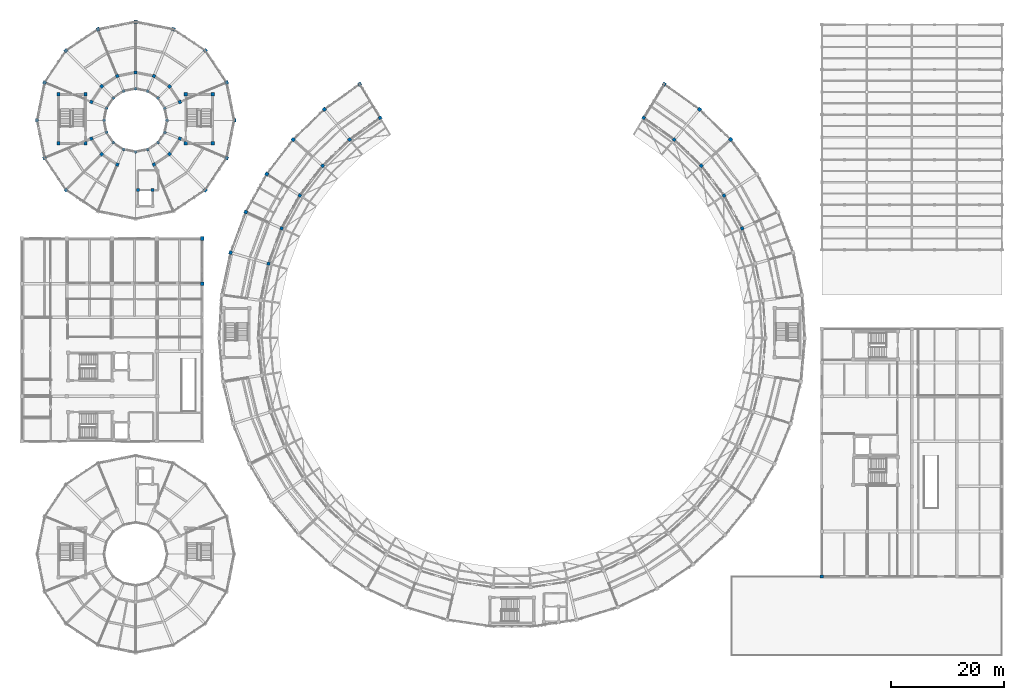
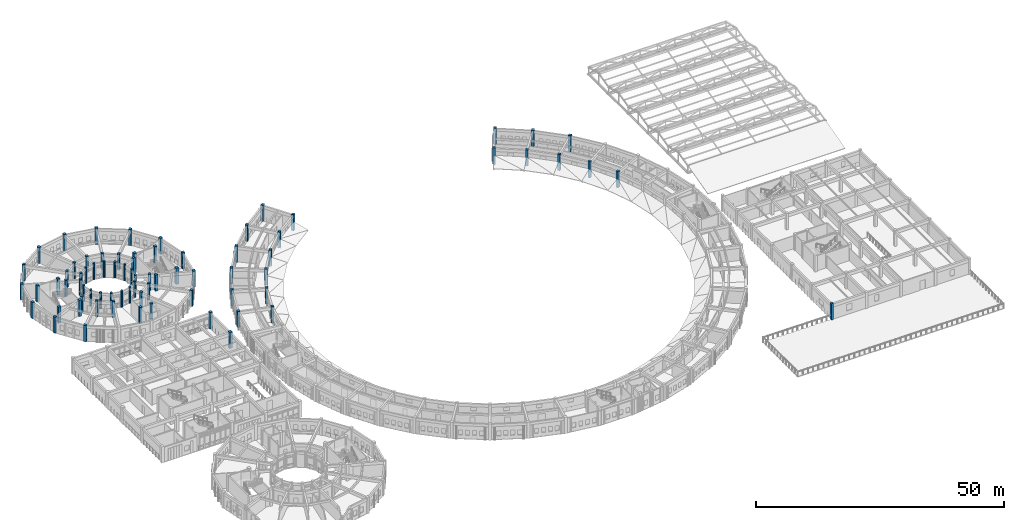
# One storey, part 6 of 112: 75 columns.
"""IFC4 building model written with IfcOpenShell, lengths in metres."""

from ifc_helpers import new_model, si_unit, direction, frame, origin, origin_2d, place, context, subcontext, project, spatial, rectangle, circle, extrude, material, material_profile, profile_set, type_object, element, save


model = new_model("IFC4")

# Units and contexts
model_context = context("Model", 3, precision=1e-05, world=origin(), true_north=direction((0.0, 1.0)))
body_context = subcontext(model_context, "Body", "Model", "MODEL_VIEW")
ifc_project = project(units=[si_unit("LENGTHUNIT", "METRE"), si_unit("AREAUNIT", "SQUARE_METRE"), si_unit("VOLUMEUNIT", "CUBIC_METRE"), si_unit("PLANEANGLEUNIT", "RADIAN"), si_unit("MASSUNIT", "GRAM", prefix="KILO")], contexts=[model_context])

# Site, building, storey
site_placement = place(None, origin())
site = spatial("IfcSite", under=ifc_project, at=site_placement, CompositionType="ELEMENT")
building_placement = place(site_placement, origin())
building = spatial("IfcBuilding", under=site, at=building_placement, Name="Celadon Cloister-Ring School", CompositionType="ELEMENT")
storey_placement = place(building_placement, frame((0.0, 0.0, 8.5)))
storey = spatial("IfcBuildingStorey", under=building, at=storey_placement, Name="L02", CompositionType="ELEMENT", Elevation=8.5)

# Columns
ifc_material_1 = material(Name="Concrete C40/50", Category="concrete")
ifc_material_profile_1 = material_profile(ifc_material_1, rectangle(XDim=0.60009765625, YDim=0.60009765625, at=origin_2d()), Name="RC600X600")
ifc_profile_set_1 = profile_set([ifc_material_profile_1], Name="Concrete C40/50")
column_type_1 = type_object("IfcColumnType", Name="CT-04", PredefinedType="COLUMN", material=ifc_profile_set_1)
for number, where, z_axis, x_axis, name in (
    (1, (6.5, 92.89990234375, 0.0), (0.0, 0.0, 1.0), (1.0, 0.0, 0.0), "Column 0065"),
    (2, (11.300048828125, 92.89990234375, 0.0), (0.0, 0.0, 1.0), (1.0, 0.0, 0.0), "Column 0069"),
    (3, (11.300048828125, 101.6201171875, 0.0), (0.0, 0.0, 1.0), (1.0, 0.0, 0.0), "Column 0073"),
    (4, (6.5, 101.6201171875, 0.0), (0.0, 0.0, 1.0), (1.0, 0.0, 0.0), "Column 0077"),
    (5, (29.10009765625, 92.89990234375, 0.0), (0.0, 0.0, 1.0), (1.0, 0.0, 0.0), "Column 0081"),
    (6, (33.89990234375, 92.89990234375, 0.0), (0.0, 0.0, 1.0), (1.0, 0.0, 0.0), "Column 0085"),
    (7, (33.89990234375, 101.6201171875, 0.0), (0.0, 0.0, 1.0), (1.0, 0.0, 0.0), "Column 0089"),
    (8, (29.10009765625, 101.6201171875, 0.0), (0.0, 0.0, 1.0), (1.0, 0.0, 0.0), "Column 0093"),
):
    element("IfcColumn", number, at=place(storey_placement, frame(where, z_axis=z_axis, x_axis=x_axis)), inside=storey, type_object=column_type_1, Name=name, PredefinedType="COLUMN", context=body_context, shape_type="SweptSolid", body=[
        extrude(rectangle(XDim=0.60009765625, YDim=0.60009765625, at=origin_2d()), origin(), (0.0, 0.0, 1.0), 4.0),
    ])
ifc_material_2 = material(Name="Concrete C40/50", Category="concrete")
ifc_material_profile_2 = material_profile(ifc_material_2, rectangle(XDim=0.550048828125, YDim=0.550048828125, at=origin_2d()), Name="RC550X550")
ifc_profile_set_2 = profile_set([ifc_material_profile_2], Name="Concrete C40/50")
column_type_2 = type_object("IfcColumnType", Name="CT-05", PredefinedType="COLUMN", material=ifc_profile_set_2)
for number, where, z_axis, x_axis, name in (
    (9, (23.199951171875, 84.60009765625, 0.0), (0.0, 0.0, 1.0), (1.0, 0.0, 0.0), "Column 0286"),
    (10, (20.60009765625, 84.60009765625, 0.0), (0.0, 0.0, 1.0), (1.0, 0.0, 0.0), "Column 0290"),
    (11, (28.052978515625, 100.2529296875, 0.0), (0.0, 0.0, 1.0), (0.923879532511, 0.382683432365, 0.0), "Column 0793"),
    (12, (26.2099609375, 103.010009765625, 0.0), (0.0, 0.0, 1.0), (0.707106781187, 0.707106781187, 0.0), "Column 0797"),
    (13, (23.452880859375, 104.85302734375, 0.0), (0.0, 0.0, 1.0), (0.382683432365, 0.923879532511, 0.0), "Column 0801"),
    (14, (20.199951171875, 105.5, 0.0), (0.0, 0.0, 1.0), (0.0, 1.0, 0.0), "Column 0805"),
    (15, (16.947021484375, 104.85302734375, 0.0), (0.0, 0.0, 1.0), (-0.382683432365, 0.923879532511, 0.0), "Column 0809"),
    (16, (14.18994140625, 103.010009765625, 0.0), (0.0, 0.0, 1.0), (-0.707106781187, 0.707106781187, 0.0), "Column 0813"),
    (17, (12.346923828125, 100.2529296875, 0.0), (0.0, 0.0, 1.0), (-0.923879532511, 0.382683432365, 0.0), "Column 0817"),
    (18, (12.346923828125, 93.7470703125, 0.0), (0.0, 0.0, 1.0), (-0.923879532511, -0.382683432365, 0.0), "Column 0821"),
    (19, (14.18994140625, 90.989990234375, 0.0), (0.0, 0.0, 1.0), (-0.707106781187, -0.707106781187, 0.0), "Column 0825"),
    (20, (16.947021484375, 89.14697265625, 0.0), (0.0, 0.0, 1.0), (-0.382683432365, -0.923879532511, 0.0), "Column 0829"),
    (21, (23.452880859375, 89.14697265625, 0.0), (0.0, 0.0, 1.0), (0.382683432365, -0.923879532511, 0.0), "Column 0833"),
    (22, (26.2099609375, 90.989990234375, 0.0), (0.0, 0.0, 1.0), (0.707106781187, -0.707106781187, 0.0), "Column 0837"),
    (23, (28.052978515625, 93.7470703125, 0.0), (0.0, 0.0, 1.0), (0.923879532511, -0.382683432365, 0.0), "Column 0841"),
    (24, (142.0, 16.0, 0.0), (0.0, 0.0, 1.0), (1.0, 0.0, 0.0), "Column 0924"),
):
    element("IfcColumn", number, at=place(storey_placement, frame(where, z_axis=z_axis, x_axis=x_axis)), inside=storey, type_object=column_type_2, Name=name, PredefinedType="COLUMN", context=body_context, shape_type="SweptSolid", body=[
        extrude(rectangle(XDim=0.550048828125, YDim=0.550048828125, at=origin_2d()), origin(), (0.0, 0.0, 1.0), 4.0),
    ])
ifc_material_3 = material(Name="Concrete C40/50", Category="concrete")
ifc_material_profile_3 = material_profile(ifc_material_3, circle(Radius=0.27490234375, at=origin_2d()), Name="CIRC550")
ifc_profile_set_3 = profile_set([ifc_material_profile_3], Name="Concrete C40/50")
column_type_3 = type_object("IfcColumnType", Name="CT-07", PredefinedType="COLUMN", material=ifc_profile_set_3)
for number, where, z_axis, x_axis, name in (
    (25, (25.800048828125, 97.0, 0.0), (0.0, 0.0, 1.0), (1.0, 0.0, 0.0), "Column 0729"),
    (26, (25.3740234375, 99.14306640625, 0.0), (0.0, 0.0, 1.0), (1.0, 0.0, 0.0), "Column 0733"),
    (27, (24.159912109375, 100.9599609375, 0.0), (0.0, 0.0, 1.0), (1.0, 0.0, 0.0), "Column 0737"),
    (28, (22.343017578125, 102.174072265625, 0.0), (0.0, 0.0, 1.0), (1.0, 0.0, 0.0), "Column 0741"),
    (29, (20.199951171875, 102.60009765625, 0.0), (0.0, 0.0, 1.0), (1.0, 0.0, 0.0), "Column 0745"),
    (30, (18.056884765625, 102.174072265625, 0.0), (0.0, 0.0, 1.0), (1.0, 0.0, 0.0), "Column 0749"),
    (31, (16.239990234375, 100.9599609375, 0.0), (0.0, 0.0, 1.0), (1.0, 0.0, 0.0), "Column 0753"),
    (32, (15.02587890625, 99.14306640625, 0.0), (0.0, 0.0, 1.0), (1.0, 0.0, 0.0), "Column 0757"),
    (33, (14.60009765625, 97.0, 0.0), (0.0, 0.0, 1.0), (1.0, 0.0, 0.0), "Column 0761"),
    (34, (15.02587890625, 94.85693359375, 0.0), (0.0, 0.0, 1.0), (1.0, 0.0, 0.0), "Column 0765"),
    (35, (16.239990234375, 93.0400390625, 0.0), (0.0, 0.0, 1.0), (1.0, 0.0, 0.0), "Column 0769"),
    (36, (18.056884765625, 91.825927734375, 0.0), (0.0, 0.0, 1.0), (1.0, 0.0, 0.0), "Column 0773"),
    (37, (20.199951171875, 91.39990234375, 0.0), (0.0, 0.0, 1.0), (1.0, 0.0, 0.0), "Column 0777"),
    (38, (22.343017578125, 91.825927734375, 0.0), (0.0, 0.0, 1.0), (1.0, 0.0, 0.0), "Column 0781"),
    (39, (24.159912109375, 93.0400390625, 0.0), (0.0, 0.0, 1.0), (1.0, 0.0, 0.0), "Column 0785"),
    (40, (25.3740234375, 94.85693359375, 0.0), (0.0, 0.0, 1.0), (1.0, 0.0, 0.0), "Column 0789"),
):
    element("IfcColumn", number, at=place(storey_placement, frame(where, z_axis=z_axis, x_axis=x_axis)), inside=storey, type_object=column_type_3, Name=name, PredefinedType="COLUMN", context=body_context, shape_type="SweptSolid", body=[
        extrude(circle(Radius=0.27490234375, at=origin_2d()), origin(), (0.0, 0.0, 1.0), 4.0),
    ])
ifc_material_4 = material(Name="Concrete C40/50", Category="concrete")
ifc_material_profile_4 = material_profile(ifc_material_4, rectangle(XDim=0.64990234375, YDim=0.64990234375, at=origin_2d()), Name="RC650X650")
ifc_profile_set_4 = profile_set([ifc_material_profile_4], Name="Concrete C40/50")
column_type_4 = type_object("IfcColumnType", Name="CT-22", PredefinedType="COLUMN", material=ifc_profile_set_4)
for number, where, z_axis, x_axis, name in (
    (41, (32.0, 68.0, 0.0), (0.0, 0.0, 1.0), (1.0, 0.0, 0.0), "Column 1170"),
    (42, (32.0, 76.0, 0.0), (0.0, 0.0, 1.0), (1.0, 0.0, 0.0), "Column 1175"),
):
    element("IfcColumn", number, at=place(storey_placement, frame(where, z_axis=z_axis, x_axis=x_axis)), inside=storey, type_object=column_type_4, Name=name, PredefinedType="COLUMN", context=body_context, shape_type="SweptSolid", body=[
        extrude(rectangle(XDim=0.64990234375, YDim=0.64990234375, at=origin_2d()), origin(), (0.0, 0.0, 1.0), 4.0),
    ])
ifc_material_5 = material(Name="Concrete C40/50", Category="concrete")
ifc_material_profile_5 = material_profile(ifc_material_5, rectangle(XDim=0.60009765625, YDim=0.60009765625, at=origin_2d()), Name="RC600X600")
ifc_profile_set_5 = profile_set([ifc_material_profile_5], Name="Concrete C40/50")
column_type_5 = type_object("IfcColumnType", Name="CT-23", PredefinedType="COLUMN", material=ifc_profile_set_5)
for number, where, z_axis, x_axis, name in (
    (43, (59.968994140625, 103.422119140625, 0.0), (0.0, 0.0, 1.0), (-0.519817342621, 0.854277431699, 0.0), "Column 0542"),
    (44, (53.702880859375, 98.94091796875, 0.0), (0.0, 0.0, 1.0), (-0.640324219757, 0.76810474129, 0.0), "Column 0546"),
    (45, (48.16796875, 93.583984375, 0.0), (0.0, 0.0, 1.0), (-0.746777491428, 0.66507396453, 0.0), "Column 0550"),
    (46, (43.48388671875, 87.467041015625, 0.0), (0.0, 0.0, 1.0), (-0.836840759551, 0.547446383817, 0.0), "Column 0554"),
    (47, (39.756103515625, 80.72607421875, 0.0), (0.0, 0.0, 1.0), (-0.908537347938, 0.417803646947, 0.0), "Column 0558"),
    (48, (37.06494140625, 73.508056640625, 0.0), (0.0, 0.0, 1.0), (-0.960293685677, 0.278991106039, 0.0), "Column 0562"),
    (49, (125.83203125, 93.583984375, 0.0), (0.0, 0.0, 1.0), (0.746777491428, 0.66507396453, 0.0), "Column 0666"),
    (50, (120.297119140625, 98.94091796875, 0.0), (0.0, 0.0, 1.0), (0.640324219757, 0.76810474129, 0.0), "Column 0670"),
    (51, (114.031005859375, 103.422119140625, 0.0), (0.0, 0.0, 1.0), (0.519817342621, 0.854277431699, 0.0), "Column 0674"),
    (52, (37.699951171875, 97.0, 0.0), (0.0, 0.0, 1.0), (1.0, 0.0, 0.0), "Column 0845"),
    (53, (36.367919921875, 103.697021484375, 0.0), (0.0, 0.0, 1.0), (0.923879532511, 0.382683432365, 0.0), "Column 0849"),
    (54, (32.573974609375, 109.3740234375, 0.0), (0.0, 0.0, 1.0), (0.707106781187, 0.707106781187, 0.0), "Column 0853"),
    (55, (26.89697265625, 113.16796875, 0.0), (0.0, 0.0, 1.0), (0.382683432365, 0.923879532511, 0.0), "Column 0857"),
    (56, (20.199951171875, 114.5, 0.0), (0.0, 0.0, 1.0), (0.0, 1.0, 0.0), "Column 0861"),
    (57, (13.5029296875, 113.16796875, 0.0), (0.0, 0.0, 1.0), (-0.382683432365, 0.923879532511, 0.0), "Column 0865"),
    (58, (7.825927734375, 109.3740234375, 0.0), (0.0, 0.0, 1.0), (-0.707106781187, 0.707106781187, 0.0), "Column 0869"),
    (59, (4.031982421875, 103.697021484375, 0.0), (0.0, 0.0, 1.0), (-0.923879532511, 0.382683432365, 0.0), "Column 0873"),
    (60, (2.699951171875, 97.0, 0.0), (0.0, 0.0, 1.0), (-1.0, 0.0, 0.0), "Column 0877"),
    (61, (4.031982421875, 90.302978515625, 0.0), (0.0, 0.0, 1.0), (-0.923879532511, -0.382683432365, 0.0), "Column 0881"),
    (62, (7.825927734375, 84.6259765625, 0.0), (0.0, 0.0, 1.0), (-0.707106781187, -0.707106781187, 0.0), "Column 0885"),
    (63, (32.573974609375, 84.6259765625, 0.0), (0.0, 0.0, 1.0), (0.707106781187, -0.707106781187, 0.0), "Column 0901"),
    (64, (36.367919921875, 90.302978515625, 0.0), (0.0, 0.0, 1.0), (0.923879532511, -0.382683432365, 0.0), "Column 0905"),
):
    element("IfcColumn", number, at=place(storey_placement, frame(where, z_axis=z_axis, x_axis=x_axis)), inside=storey, type_object=column_type_5, Name=name, PredefinedType="COLUMN", context=body_context, shape_type="SweptSolid", body=[
        extrude(rectangle(XDim=0.60009765625, YDim=0.60009765625, at=origin_2d()), origin(), (0.0, 0.0, 1.0), 4.0),
    ])
ifc_material_6 = material(Name="Concrete C40/50", Category="concrete")
ifc_material_profile_6 = material_profile(ifc_material_6, rectangle(XDim=0.550048828125, YDim=0.550048828125, at=origin_2d()), Name="RC550X550")
ifc_profile_set_6 = profile_set([ifc_material_profile_6], Name="Concrete C40/50")
column_type_6 = type_object("IfcColumnType", Name="CT-24", PredefinedType="COLUMN", material=ifc_profile_set_6)
for number, where, z_axis, x_axis, name in (
    (65, (63.60791015625, 97.44189453125, 0.0), (0.0, 0.0, 1.0), (-0.519817342621, 0.854277431699, 0.0), "Column 0398"),
    (66, (58.18505859375, 93.56494140625, 0.0), (0.0, 0.0, 1.0), (-0.640324219757, 0.76810474129, 0.0), "Column 0402"),
    (67, (53.39501953125, 88.927978515625, 0.0), (0.0, 0.0, 1.0), (-0.746777491428, 0.66507396453, 0.0), "Column 0406"),
    (68, (49.342041015625, 83.635009765625, 0.0), (0.0, 0.0, 1.0), (-0.836840759551, 0.547446383817, 0.0), "Column 0410"),
    (69, (46.115966796875, 77.801025390625, 0.0), (0.0, 0.0, 1.0), (-0.908537347938, 0.417803646947, 0.0), "Column 0414"),
    (70, (43.787109375, 71.554931640625, 0.0), (0.0, 0.0, 1.0), (-0.960293685677, 0.278991106039, 0.0), "Column 0418"),
    (71, (127.884033203125, 77.801025390625, 0.0), (0.0, 0.0, 1.0), (0.908537347938, 0.417803646947, 0.0), "Column 0522"),
    (72, (124.657958984375, 83.635009765625, 0.0), (0.0, 0.0, 1.0), (0.836840759551, 0.547446383817, 0.0), "Column 0526"),
    (73, (120.60498046875, 88.927978515625, 0.0), (0.0, 0.0, 1.0), (0.746777491428, 0.66507396453, 0.0), "Column 0530"),
    (74, (115.81494140625, 93.56494140625, 0.0), (0.0, 0.0, 1.0), (0.640324219757, 0.76810474129, 0.0), "Column 0534"),
    (75, (110.39208984375, 97.44189453125, 0.0), (0.0, 0.0, 1.0), (0.519817342621, 0.854277431699, 0.0), "Column 0538"),
):
    element("IfcColumn", number, at=place(storey_placement, frame(where, z_axis=z_axis, x_axis=x_axis)), inside=storey, type_object=column_type_6, Name=name, PredefinedType="COLUMN", context=body_context, shape_type="SweptSolid", body=[
        extrude(rectangle(XDim=0.550048828125, YDim=0.550048828125, at=origin_2d()), origin(), (0.0, 0.0, 1.0), 4.0),
    ])

save(model, "model.ifc")
